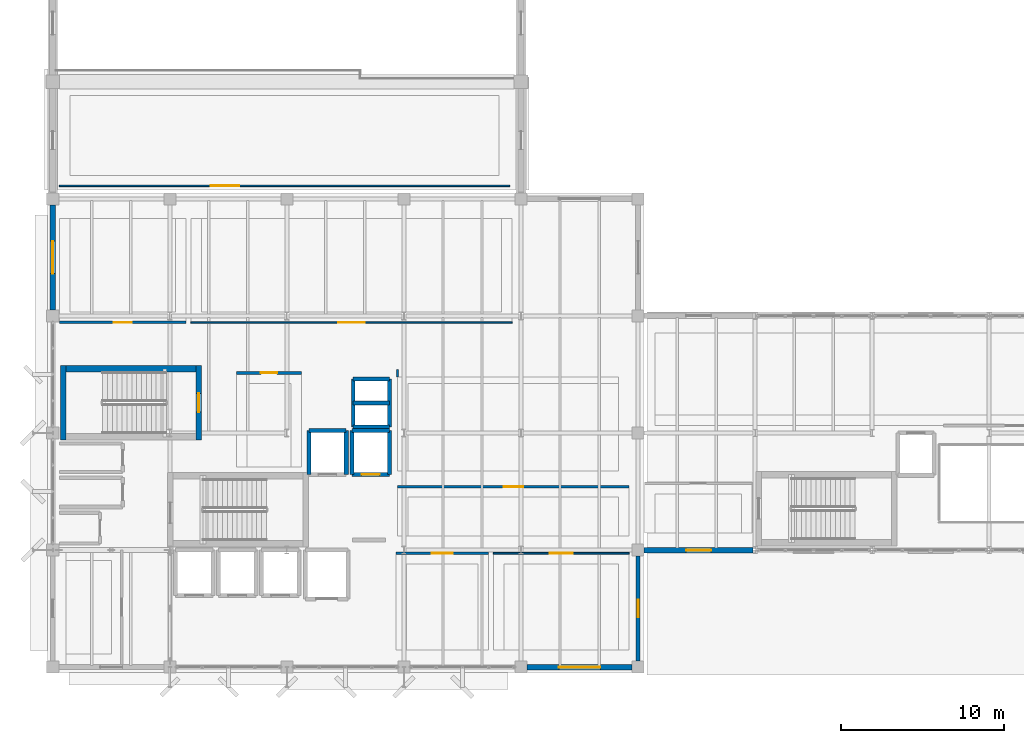
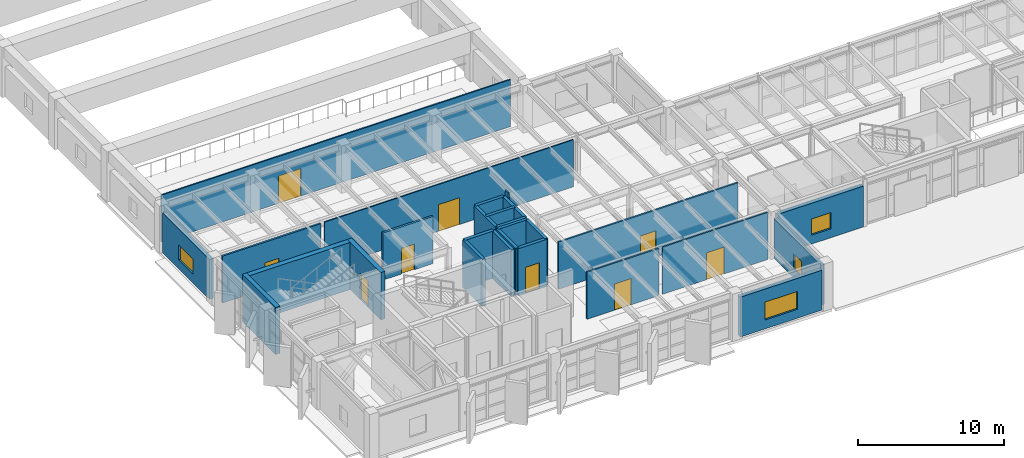
# One storey, part 26 of 37: 27 walls, 9 doors, 4 windows, 13 openings.
"""IFC4 building model written with IfcOpenShell, lengths in metres."""

from ifc_helpers import new_model, si_unit, direction, frame, frame_2d, origin, place, context, subcontext, project, spatial, rectangle, extrude, material, layer, layer_set, type_object, element, fill, save


model = new_model("IFC4")

# Units and contexts
model_context = context("Model", 3, precision=1e-05, world=origin(), true_north=direction((0.0, 1.0)))
body_context = subcontext(model_context, "Body", "Model", "MODEL_VIEW")
ifc_project = project(units=[si_unit("LENGTHUNIT", "METRE"), si_unit("AREAUNIT", "SQUARE_METRE"), si_unit("VOLUMEUNIT", "CUBIC_METRE"), si_unit("PLANEANGLEUNIT", "RADIAN"), si_unit("MASSUNIT", "GRAM", prefix="KILO")], contexts=[model_context])

# Site, building, storey
site_placement = place(None, origin())
site = spatial("IfcSite", under=ifc_project, at=site_placement, CompositionType="ELEMENT")
building_placement = place(site_placement, origin())
building = spatial("IfcBuilding", under=site, at=building_placement, Name="Kandorven Conservatory and Botanical Research Centre", CompositionType="ELEMENT")
storey_placement = place(building_placement, frame((0.0, 0.0, 9.0)))
storey = spatial("IfcBuildingStorey", under=building, at=storey_placement, Name="L02", CompositionType="ELEMENT", Elevation=9.0)

# Wall
ifc_material_1 = material(Name="Concrete C40/50 (M50)", Category="concrete")
ifc_layer_1 = layer(ifc_material_1, 0.39990234375)
ifc_layer_set_1 = layer_set([ifc_layer_1], Name="Concrete C40/50 (M50)")
wall_type_1 = type_object("IfcWallType", Name="Wall_CW-RC-1", PredefinedType="SHEAR", material=ifc_layer_set_1)
wall_1_placement = place(storey_placement, frame((14.800048828125, 24.35498046875, 0.0), z_axis=(0.0, 0.0, 1.0), x_axis=(-1.0, 0.0, 0.0)))
element("IfcWall", 1, at=wall_1_placement, inside=storey, type_object=wall_type_1, Name="Core stair shear wall CW-RC-1 ST-T2 L02 side A", PredefinedType="SHEAR", context=body_context, shape_type="SweptSolid", body=[
    extrude(rectangle(XDim=7.97998046875, YDim=0.39990234375, at=frame_2d((3.989990234375, 0.0))), origin(), (0.0, 0.0, 1.0), 3.9599609375),
])

# Wall, opening, door
ifc_material_2 = material(Name="Concrete C40/50 (M50)", Category="concrete")
ifc_layer_2 = layer(ifc_material_2, 0.35009765625)
ifc_layer_set_2 = layer_set([ifc_layer_2], Name="Concrete C40/50 (M50)")
wall_type_2 = type_object("IfcWallType", Name="Wall_CW-RC-2", PredefinedType="SHEAR", material=ifc_layer_set_2)
wall_2_placement = place(storey_placement, frame((14.97509765625, 24.550048828125, 0.0), z_axis=(0.0, 0.0, 1.0), x_axis=(0.0, -1.0, 0.0)))
wall_2 = element("IfcWall", 2, at=wall_2_placement, inside=storey, type_object=wall_type_2, Name="Core stair shear wall CW-RC-2 ST-T2 L02 entry", PredefinedType="SHEAR", context=body_context, shape_type="SweptSolid", body=[
    extrude(rectangle(XDim=4.590087890625, YDim=0.35009765625, at=frame_2d((2.294921875, 0.0))), origin(), (0.0, 0.0, 1.0), 3.9599609375),
])
opening_1_placement = place(wall_2_placement, frame((1.719970703125, 0.0, 0.0)))
opening_1 = element("IfcOpeningElement", 3, at=opening_1_placement, cuts=wall_2, Name="Opening FD-2", PredefinedType="OPENING", context=body_context, shape_type="SweptSolid", body=[
    extrude(rectangle(XDim=1.14990234375, YDim=2.199951171875, at=frame_2d((0.574951171875, 1.10009765625))), frame((0.0, 0.18505859375, 0.0), z_axis=(0.0, -1.0, 0.0), x_axis=(1.0, 0.0, 0.0)), (0.0, 0.0, 1.0), 0.3701171875),
])
ifc_material_3 = material(Name="Galvanised hollow steel fire door assembly", Category="steel")
door_type_1 = type_object("IfcDoorType", Name="Door_FD-2", OperationType="NOTDEFINED", PredefinedType="DOOR", material=ifc_material_3)
door_1_placement = place(opening_1_placement, origin())
door_1 = element("IfcDoor", 4, at=door_1_placement, inside=storey, type_object=door_type_1, Name="Exit stair fire door FD-2 ST-T2 L02", OperationType="SINGLE_SWING_LEFT", OverallHeight=2.199951171875, OverallWidth=1.14990234375, PredefinedType="DOOR", context=body_context, shape_type="SweptSolid", body=[
    extrude(rectangle(XDim=1.14990234375, YDim=2.199951171875, at=frame_2d((0.574951171875, 1.10009765625))), frame((0.0, 0.02490234375, 0.0), z_axis=(0.0, -1.0, 0.0), x_axis=(1.0, 0.0, 0.0)), (0.0, 0.0, 1.0), 0.050048828125),
])
fill(opening_1, door_1)

# Walls
wall_3_placement = place(storey_placement, frame((6.64501953125, 24.550048828125, 0.0), z_axis=(0.0, 0.0, 1.0), x_axis=(0.0, -1.0, 0.0)))
element("IfcWall", 5, at=wall_3_placement, inside=storey, type_object=wall_type_2, Name="Core stair shear wall CW-RC-2 ST-T2 L02 far", PredefinedType="SHEAR", context=body_context, shape_type="SweptSolid", body=[
    extrude(rectangle(XDim=4.590087890625, YDim=0.35009765625, at=frame_2d((2.294921875, 0.0))), origin(), (0.0, 0.0, 1.0), 3.9599609375),
])
wall_4_placement = place(storey_placement, frame((21.75, 20.550048828125, 0.0), z_axis=(0.0, 0.0, 1.0), x_axis=(1.0, 0.0, 0.0)))
element("IfcWall", 6, at=wall_4_placement, inside=storey, type_object=wall_type_2, Name="Lift shaft wall FFL-1 L02 N", PredefinedType="SHEAR", context=body_context, shape_type="SweptSolid", body=[
    extrude(rectangle(XDim=2.300048828125, YDim=0.25, at=frame_2d((1.14990234375, 0.0))), origin(), (0.0, 0.0, 1.0), 3.9599609375),
])
for number, where, z_axis, x_axis, name in (
    (7, (21.75, 17.85009765625, 0.0), (0.0, 0.0, 1.0), (0.0, 1.0, 0.0), "Lift shaft wall FFL-1 L02 W"),
    (8, (24.050048828125, 17.85009765625, 0.0), (0.0, 0.0, 1.0), (0.0, 1.0, 0.0), "Lift shaft wall FFL-1 L02 E"),
):
    element("IfcWall", number, at=place(storey_placement, frame(where, z_axis=z_axis, x_axis=x_axis)), inside=storey, type_object=wall_type_2, Name=name, PredefinedType="SHEAR", context=body_context, shape_type="SweptSolid", body=[
        extrude(rectangle(XDim=2.699951171875, YDim=0.25, at=frame_2d((1.35009765625, 0.0))), origin(), (0.0, 0.0, 1.0), 3.9599609375),
    ])

# Wall, opening, door
wall_5_placement = place(storey_placement, frame((24.39990234375, 17.85009765625, 0.0), z_axis=(0.0, 0.0, 1.0), x_axis=(1.0, 0.0, 0.0)))
wall_5 = element("IfcWall", 9, at=wall_5_placement, inside=storey, type_object=wall_type_2, Name="Lift shaft wall FFL-2 L02 S", PredefinedType="SHEAR", context=body_context, shape_type="SweptSolid", body=[
    extrude(rectangle(XDim=2.300048828125, YDim=0.25, at=frame_2d((1.14990234375, 0.0))), origin(), (0.0, 0.0, 1.0), 3.9599609375),
])
opening_2_placement = place(wall_5_placement, frame((0.60009765625, 0.0, 0.0)))
opening_2 = element("IfcOpeningElement", 10, at=opening_2_placement, cuts=wall_5, Name="Opening LD-01", PredefinedType="OPENING", context=body_context, shape_type="SweptSolid", body=[
    extrude(rectangle(XDim=1.10009765625, YDim=2.199951171875, at=frame_2d((0.550048828125, 1.10009765625))), frame((0.0, 0.135009765625, 0.0), z_axis=(0.0, -1.0, 0.0), x_axis=(1.0, 0.0, 0.0)), (0.0, 0.0, 1.0), 0.27001953125),
])
ifc_material_4 = material(Name="Anodised aluminium sliding landing door", Category="aluminium")
door_type_2 = type_object("IfcDoorType", Name="Door_LD-01", OperationType="DOUBLE_DOOR_SLIDING", PredefinedType="DOOR", material=ifc_material_4)
door_2_placement = place(opening_2_placement, origin())
door_2 = element("IfcDoor", 11, at=door_2_placement, inside=storey, type_object=door_type_2, Name="Lift landing sliding door LD-01 (FFL-2 L02)", OperationType="DOUBLE_DOOR_SLIDING", OverallHeight=2.199951171875, OverallWidth=1.10009765625, PredefinedType="DOOR", context=body_context, shape_type="SweptSolid", body=[
    extrude(rectangle(XDim=1.10009765625, YDim=2.199951171875, at=frame_2d((0.550048828125, 1.10009765625))), frame((0.0, 0.02490234375, 0.0), z_axis=(0.0, -1.0, 0.0), x_axis=(1.0, 0.0, 0.0)), (0.0, 0.0, 1.0), 0.050048828125),
])
fill(opening_2, door_2)

# Walls
wall_6_placement = place(storey_placement, frame((24.39990234375, 20.550048828125, 0.0), z_axis=(0.0, 0.0, 1.0), x_axis=(1.0, 0.0, 0.0)))
element("IfcWall", 12, at=wall_6_placement, inside=storey, type_object=wall_type_2, Name="Lift shaft wall FFL-2 L02 N", PredefinedType="SHEAR", context=body_context, shape_type="SweptSolid", body=[
    extrude(rectangle(XDim=2.300048828125, YDim=0.25, at=frame_2d((1.14990234375, 0.0))), origin(), (0.0, 0.0, 1.0), 3.9599609375),
])
for number, where, z_axis, x_axis, name in (
    (13, (24.39990234375, 17.85009765625, 0.0), (0.0, 0.0, 1.0), (0.0, 1.0, 0.0), "Lift shaft wall FFL-2 L02 W"),
    (14, (26.699951171875, 17.85009765625, 0.0), (0.0, 0.0, 1.0), (0.0, 1.0, 0.0), "Lift shaft wall FFL-2 L02 E"),
):
    element("IfcWall", number, at=place(storey_placement, frame(where, z_axis=z_axis, x_axis=x_axis)), inside=storey, type_object=wall_type_2, Name=name, PredefinedType="SHEAR", context=body_context, shape_type="SweptSolid", body=[
        extrude(rectangle(XDim=2.699951171875, YDim=0.25, at=frame_2d((1.35009765625, 0.0))), origin(), (0.0, 0.0, 1.0), 3.9599609375),
    ])
for number, where, z_axis, x_axis, name in (
    (15, (24.47998046875, 20.780029296875, 0.0), (0.0, 0.0, 1.0), (1.0, 0.0, 0.0), "Core MEP riser shaft wall CW-RC-2 L02 S"),
    (16, (24.47998046875, 22.25, 0.0), (0.0, 0.0, 1.0), (1.0, 0.0, 0.0), "Core MEP riser shaft wall CW-RC-2 L02 M"),
    (17, (24.47998046875, 23.719970703125, 0.0), (0.0, 0.0, 1.0), (1.0, 0.0, 0.0), "Core MEP riser shaft wall CW-RC-2 L02 N"),
):
    element("IfcWall", number, at=place(storey_placement, frame(where, z_axis=z_axis, x_axis=x_axis)), inside=storey, type_object=wall_type_2, Name=name, PredefinedType="SHEAR", context=body_context, shape_type="SweptSolid", body=[
        extrude(rectangle(XDim=2.239990234375, YDim=0.239990234375, at=frame_2d((1.1201171875, 0.0))), origin(), (0.0, 0.0, 1.0), 3.9599609375),
    ])
for number, where, z_axis, x_axis, name in (
    (18, (24.47998046875, 20.780029296875, 0.0), (0.0, 0.0, 1.0), (0.0, 1.0, 0.0), "Core MEP riser shaft wall CW-RC-2 L02 W"),
    (19, (26.719970703125, 20.780029296875, 0.0), (0.0, 0.0, 1.0), (0.0, 1.0, 0.0), "Core MEP riser shaft wall CW-RC-2 L02 E"),
):
    element("IfcWall", number, at=place(storey_placement, frame(where, z_axis=z_axis, x_axis=x_axis)), inside=storey, type_object=wall_type_2, Name=name, PredefinedType="SHEAR", context=body_context, shape_type="SweptSolid", body=[
        extrude(rectangle(XDim=2.93994140625, YDim=0.239990234375, at=frame_2d((1.469970703125, 0.0))), origin(), (0.0, 0.0, 1.0), 3.9599609375),
    ])

# Wall, opening, window
ifc_material_5 = material(Name="Concrete C32/40 (M40)", Category="concrete")
ifc_layer_3 = layer(ifc_material_5, 0.340087890625)
ifc_layer_set_3 = layer_set([ifc_layer_3], Name="Concrete C32/40 (M40)")
wall_type_3 = type_object("IfcWallType", Name="Wall_EW-02", PredefinedType="STANDARD", material=ifc_layer_set_3)
wall_7_placement = place(storey_placement, frame((42.375, 13.199951171875, 0.0), z_axis=(0.0, 0.0, 1.0), x_axis=(1.0, 0.0, 0.0)))
wall_7 = element("IfcWall", 20, at=wall_7_placement, inside=storey, type_object=wall_type_3, Name="Visitor centre concrete wall EW-02 S L02", PredefinedType="STANDARD", context=body_context, shape_type="SweptSolid", body=[
    extrude(rectangle(XDim=6.699951171875, YDim=0.340087890625, at=frame_2d((3.35009765625, 0.0))), origin(), (0.0, 0.0, 1.0), 3.419921875),
])
opening_3_placement = place(wall_7_placement, frame((2.574951171875, 0.0, 0.75)))
opening_3 = element("IfcOpeningElement", 21, at=opening_3_placement, cuts=wall_7, Name="Opening W-33", PredefinedType="OPENING", context=body_context, shape_type="SweptSolid", body=[
    extrude(rectangle(XDim=1.550048828125, YDim=1.35009765625, at=frame_2d((0.77490234375, 0.675048828125))), frame((0.0, 0.179931640625, 0.0), z_axis=(0.0, -1.0, 0.0), x_axis=(1.0, 0.0, 0.0)), (0.0, 0.0, 1.0), 0.360107421875),
])
ifc_material_6 = material(Name="Double-glazed solar-control low-E glass", Category="glass")
window_type_1 = type_object("IfcWindowType", Name="Win_W-33", PartitioningType="DOUBLE_PANEL_VERTICAL", PredefinedType="WINDOW", material=ifc_material_6)
window_1_placement = place(opening_3_placement, origin())
window_1 = element("IfcWindow", 22, at=window_1_placement, inside=storey, type_object=window_type_1, Name="Visitor wing deep-reveal window W-33", OverallHeight=1.35009765625, OverallWidth=1.550048828125, PartitioningType="SINGLE_PANEL", PredefinedType="WINDOW", context=body_context, shape_type="SweptSolid", body=[
    extrude(rectangle(XDim=1.550048828125, YDim=1.35009765625, at=frame_2d((0.77490234375, 0.675048828125))), frame((0.0, 0.030029296875, 0.0), z_axis=(0.0, -1.0, 0.0), x_axis=(1.0, 0.0, 0.0)), (0.0, 0.0, 1.0), 0.06005859375),
])
fill(opening_3, window_1)

wall_8_placement = place(storey_placement, frame((35.175048828125, 6.0, 0.0), z_axis=(0.0, 0.0, 1.0), x_axis=(1.0, 0.0, 0.0)))
wall_8 = element("IfcWall", 23, at=wall_8_placement, inside=storey, type_object=wall_type_3, Name="Tower concrete facade wall EW-02 S L02", PredefinedType="STANDARD", context=body_context, shape_type="SweptSolid", body=[
    extrude(rectangle(XDim=6.449951171875, YDim=0.340087890625, at=frame_2d((3.22509765625, 0.0))), origin(), (0.0, 0.0, 1.0), 3.340087890625),
])
opening_4_placement = place(wall_8_placement, frame((1.949951171875, 0.0, 0.75)))
opening_4 = element("IfcOpeningElement", 24, at=opening_4_placement, cuts=wall_8, Name="Opening W-44", PredefinedType="OPENING", context=body_context, shape_type="SweptSolid", body=[
    extrude(rectangle(XDim=2.550048828125, YDim=1.5, at=frame_2d((1.27490234375, 0.75))), frame((0.0, 0.179931640625, 0.0), z_axis=(0.0, -1.0, 0.0), x_axis=(1.0, 0.0, 0.0)), (0.0, 0.0, 1.0), 0.360107421875),
])
ifc_material_7 = material(Name="Double-glazed solar-control low-E glass", Category="glass")
window_type_2 = type_object("IfcWindowType", Name="Win_W-44", PartitioningType="DOUBLE_PANEL_VERTICAL", PredefinedType="WINDOW", material=ifc_material_7)
window_2_placement = place(opening_4_placement, origin())
window_2 = element("IfcWindow", 25, at=window_2_placement, inside=storey, type_object=window_type_2, Name="Tower recessed solar window W-44", OverallHeight=1.5, OverallWidth=2.550048828125, PartitioningType="SINGLE_PANEL", PredefinedType="WINDOW", context=body_context, shape_type="SweptSolid", body=[
    extrude(rectangle(XDim=2.550048828125, YDim=1.5, at=frame_2d((1.27490234375, 0.75))), frame((0.0, 0.030029296875, 0.0), z_axis=(0.0, -1.0, 0.0), x_axis=(1.0, 0.0, 0.0)), (0.0, 0.0, 1.0), 0.06005859375),
])
fill(opening_4, window_2)

ifc_material_8 = material(Name="Concrete C32/40 (M40)", Category="concrete")
ifc_layer_4 = layer(ifc_material_8, 0.320068359375)
ifc_layer_set_4 = layer_set([ifc_layer_4], Name="Concrete C32/40 (M40)")
wall_type_4 = type_object("IfcWallType", Name="Wall_EW-03", PredefinedType="STANDARD", material=ifc_layer_set_4)
wall_9_placement = place(storey_placement, frame((6.0, 27.97509765625, 0.0), z_axis=(0.0, 0.0, 1.0), x_axis=(0.0, 1.0, 0.0)))
wall_9 = element("IfcWall", 26, at=wall_9_placement, inside=storey, type_object=wall_type_4, Name="Tower concrete facade wall EW-03 W L02", PredefinedType="STANDARD", context=body_context, shape_type="SweptSolid", body=[
    extrude(rectangle(XDim=6.449951171875, YDim=0.320068359375, at=frame_2d((3.22509765625, 0.0))), origin(), (0.0, 0.0, 1.0), 3.340087890625),
])
opening_5_placement = place(wall_9_placement, frame((2.22509765625, 0.0, 0.75)))
opening_5 = element("IfcOpeningElement", 27, at=opening_5_placement, cuts=wall_9, Name="Opening W-48", PredefinedType="OPENING", context=body_context, shape_type="SweptSolid", body=[
    extrude(rectangle(XDim=2.0, YDim=1.25, at=frame_2d((1.0, 0.625))), frame((0.0, 0.169921875, 0.0), z_axis=(0.0, -1.0, 0.0), x_axis=(1.0, 0.0, 0.0)), (0.0, 0.0, 1.0), 0.340087890625),
])
ifc_material_9 = material(Name="Double-glazed solar-control low-E glass", Category="glass")
window_type_3 = type_object("IfcWindowType", Name="Win_W-48", PartitioningType="DOUBLE_PANEL_VERTICAL", PredefinedType="WINDOW", material=ifc_material_9)
window_3_placement = place(opening_5_placement, origin())
window_3 = element("IfcWindow", 28, at=window_3_placement, inside=storey, type_object=window_type_3, Name="Tower recessed solar window W-48", OverallHeight=1.25, OverallWidth=2.0, PartitioningType="SINGLE_PANEL", PredefinedType="WINDOW", context=body_context, shape_type="SweptSolid", body=[
    extrude(rectangle(XDim=2.0, YDim=1.25, at=frame_2d((1.0, 0.625))), frame((0.0, 0.030029296875, 0.0), z_axis=(0.0, -1.0, 0.0), x_axis=(1.0, 0.0, 0.0)), (0.0, 0.0, 1.0), 0.06005859375),
])
fill(opening_5, window_3)

ifc_material_10 = material(Name="Concrete C32/40 (M40)", Category="concrete")
ifc_layer_5 = layer(ifc_material_10, 0.260009765625)
ifc_layer_set_5 = layer_set([ifc_layer_5], Name="Concrete C32/40 (M40)")
wall_type_5 = type_object("IfcWallType", Name="Wall_EW-06", PredefinedType="STANDARD", material=ifc_layer_set_5)
wall_10_placement = place(storey_placement, frame((42.0, 6.375, 0.0), z_axis=(0.0, 0.0, 1.0), x_axis=(0.0, 1.0, 0.0)))
wall_10 = element("IfcWall", 29, at=wall_10_placement, inside=storey, type_object=wall_type_5, Name="Tower concrete facade wall EW-06 E L02", PredefinedType="STANDARD", context=body_context, shape_type="SweptSolid", body=[
    extrude(rectangle(XDim=6.449951171875, YDim=0.260009765625, at=frame_2d((3.22509765625, 0.0))), origin(), (0.0, 0.0, 1.0), 3.340087890625),
])
opening_6_placement = place(wall_10_placement, frame((2.675048828125, 0.0, 0.75)))
opening_6 = element("IfcOpeningElement", 30, at=opening_6_placement, cuts=wall_10, Name="Opening W-45", PredefinedType="OPENING", context=body_context, shape_type="SweptSolid", body=[
    extrude(rectangle(XDim=1.10009765625, YDim=1.25, at=frame_2d((0.550048828125, 0.625))), frame((0.0, 0.139892578125, 0.0), z_axis=(0.0, -1.0, 0.0), x_axis=(1.0, 0.0, 0.0)), (0.0, 0.0, 1.0), 0.280029296875),
])
ifc_material_11 = material(Name="Double-glazed solar-control low-E glass", Category="glass")
window_type_4 = type_object("IfcWindowType", Name="Win_W-45", PartitioningType="DOUBLE_PANEL_VERTICAL", PredefinedType="WINDOW", material=ifc_material_11)
window_4_placement = place(opening_6_placement, origin())
window_4 = element("IfcWindow", 31, at=window_4_placement, inside=storey, type_object=window_type_4, Name="Tower recessed solar window W-45", OverallHeight=1.25, OverallWidth=1.10009765625, PartitioningType="SINGLE_PANEL", PredefinedType="WINDOW", context=body_context, shape_type="SweptSolid", body=[
    extrude(rectangle(XDim=1.10009765625, YDim=1.25, at=frame_2d((0.550048828125, 0.625))), frame((0.0, 0.030029296875, 0.0), z_axis=(0.0, -1.0, 0.0), x_axis=(1.0, 0.0, 0.0)), (0.0, 0.0, 1.0), 0.06005859375),
])
fill(opening_6, window_4)

# Wall, opening, door
ifc_material_12 = material(Name="Autoclaved aerated concrete blockwork masonry", Category="masonry")
ifc_layer_6 = layer(ifc_material_12, 0.179931640625)
ifc_layer_set_6 = layer_set([ifc_layer_6], Name="Autoclaved aerated concrete blockwork masonry")
wall_type_6 = type_object("IfcWallType", Name="Wall_IW-03", PredefinedType="PARTITIONING", material=ifc_layer_set_6)
wall_11_placement = place(storey_placement, frame((17.300048828125, 24.10009765625, 0.0), z_axis=(0.0, 0.0, 1.0), x_axis=(1.0, 0.0, 0.0)))
wall_11 = element("IfcWall", 32, at=wall_11_placement, inside=storey, type_object=wall_type_6, Name="Interior partition wall IW-03 (Botanical Specimen Preparation Laboratory L02)", PredefinedType="PARTITIONING", context=body_context, shape_type="SweptSolid", body=[
    extrude(rectangle(XDim=4.0, YDim=0.179931640625, at=frame_2d((2.0, 0.0))), origin(), (0.0, 0.0, 1.0), 3.93994140625),
])
opening_7_placement = place(wall_11_placement, frame((1.5, 0.0, 0.0)))
opening_7 = element("IfcOpeningElement", 33, at=opening_7_placement, cuts=wall_11, Name="Opening D-02", PredefinedType="OPENING", context=body_context, shape_type="SweptSolid", body=[
    extrude(rectangle(XDim=1.0, YDim=2.14990234375, at=frame_2d((0.5, 1.074951171875))), frame((0.0, 0.099853515625, 0.0), z_axis=(0.0, -1.0, 0.0), x_axis=(1.0, 0.0, 0.0)), (0.0, 0.0, 1.0), 0.199951171875),
])
ifc_material_13 = material(Name="Solid core acoustic teak-veneered timber leaf", Category="wood")
door_type_3 = type_object("IfcDoorType", Name="Door_D-02", OperationType="NOTDEFINED", PredefinedType="DOOR", material=ifc_material_13)
door_3_placement = place(opening_7_placement, frame((1.0, 0.0, 0.0), z_axis=(0.0, 0.0, 1.0), x_axis=(-1.0, 0.0, 0.0)))
door_3 = element("IfcDoor", 34, at=door_3_placement, inside=storey, type_object=door_type_3, Name="Interior door D-02 to Botanical Specimen Preparation Laboratory L02", OperationType="SINGLE_SWING_RIGHT", OverallHeight=2.14990234375, OverallWidth=1.0, PredefinedType="DOOR", context=body_context, shape_type="SweptSolid", body=[
    extrude(rectangle(XDim=1.0, YDim=2.14990234375, at=frame_2d((0.5, 1.074951171875))), frame((0.0, 0.02490234375, 0.0), z_axis=(0.0, -1.0, 0.0), x_axis=(1.0, 0.0, 0.0)), (0.0, 0.0, 1.0), 0.050048828125),
])
fill(opening_7, door_3)

ifc_material_14 = material(Name="Fire-rated acoustic gypsum board partition", Category="gypsum")
ifc_layer_7 = layer(ifc_material_14, 0.14990234375)
ifc_layer_set_7 = layer_set([ifc_layer_7], Name="Fire-rated acoustic gypsum board partition")
wall_type_7 = type_object("IfcWallType", Name="Wall_IW-05", PredefinedType="PARTITIONING", material=ifc_layer_set_7)
wall_12_placement = place(storey_placement, frame((6.39990234375, 27.199951171875, 0.0), z_axis=(0.0, 0.0, 1.0), x_axis=(1.0, 0.0, 0.0)))
wall_12 = element("IfcWall", 35, at=wall_12_placement, inside=storey, type_object=wall_type_7, Name="Interior partition wall IW-05 (Ethnobotany Field Specimen Studio L02)", PredefinedType="PARTITIONING", context=body_context, shape_type="SweptSolid", body=[
    extrude(rectangle(XDim=7.800048828125, YDim=0.14990234375, at=frame_2d((3.89990234375, 0.0))), origin(), (0.0, 0.0, 1.0), 3.93994140625),
])
opening_8_placement = place(wall_12_placement, frame((3.35009765625, 0.0, 0.0)))
opening_8 = element("IfcOpeningElement", 36, at=opening_8_placement, cuts=wall_12, Name="Opening D-04", PredefinedType="OPENING", context=body_context, shape_type="SweptSolid", body=[
    extrude(rectangle(XDim=1.10009765625, YDim=2.199951171875, at=frame_2d((0.550048828125, 1.10009765625))), frame((0.0, 0.0849609375, 0.0), z_axis=(0.0, -1.0, 0.0), x_axis=(1.0, 0.0, 0.0)), (0.0, 0.0, 1.0), 0.169921875),
])
ifc_material_15 = material(Name="Solid core acoustic teak-veneered timber leaf", Category="wood")
door_type_4 = type_object("IfcDoorType", Name="Door_D-04", OperationType="NOTDEFINED", PredefinedType="DOOR", material=ifc_material_15)
door_4_placement = place(opening_8_placement, origin())
door_4 = element("IfcDoor", 37, at=door_4_placement, inside=storey, type_object=door_type_4, Name="Interior door D-04 to Ethnobotany Field Specimen Studio L02", OperationType="SINGLE_SWING_RIGHT", OverallHeight=2.199951171875, OverallWidth=1.10009765625, PredefinedType="DOOR", context=body_context, shape_type="SweptSolid", body=[
    extrude(rectangle(XDim=1.10009765625, YDim=2.199951171875, at=frame_2d((0.550048828125, 1.10009765625))), frame((0.0, 0.02490234375, 0.0), z_axis=(0.0, -1.0, 0.0), x_axis=(1.0, 0.0, 0.0)), (0.0, 0.0, 1.0), 0.050048828125),
])
fill(opening_8, door_4)

ifc_material_16 = material(Name="Fire-rated acoustic gypsum board partition", Category="gypsum")
ifc_layer_8 = layer(ifc_material_16, 0.139892578125)
ifc_layer_set_8 = layer_set([ifc_layer_8], Name="Fire-rated acoustic gypsum board partition")
wall_type_8 = type_object("IfcWallType", Name="Wall_IW-06", PredefinedType="PARTITIONING", material=ifc_layer_set_8)
wall_13_placement = place(storey_placement, frame((27.199951171875, 17.10009765625, 0.0), z_axis=(0.0, 0.0, 1.0), x_axis=(1.0, 0.0, 0.0)))
wall_13 = element("IfcWall", 38, at=wall_13_placement, inside=storey, type_object=wall_type_8, Name="Interior partition wall IW-06 (Plant Pathology Research Laboratory L02)", PredefinedType="PARTITIONING", context=body_context, shape_type="SweptSolid", body=[
    extrude(rectangle(XDim=14.25, YDim=0.139892578125, at=frame_2d((7.125, 0.0))), origin(), (0.0, 0.0, 1.0), 3.93994140625),
])
opening_9_placement = place(wall_13_placement, frame((6.52490234375, 0.0, 0.0)))
opening_9 = element("IfcOpeningElement", 39, at=opening_9_placement, cuts=wall_13, Name="Opening D-05", PredefinedType="OPENING", context=body_context, shape_type="SweptSolid", body=[
    extrude(rectangle(XDim=1.199951171875, YDim=2.199951171875, at=frame_2d((0.60009765625, 1.10009765625))), frame((0.0, 0.079833984375, 0.0), z_axis=(0.0, -1.0, 0.0), x_axis=(1.0, 0.0, 0.0)), (0.0, 0.0, 1.0), 0.159912109375),
])
ifc_material_17 = material(Name="Solid core acoustic teak-veneered timber leaf", Category="wood")
door_type_5 = type_object("IfcDoorType", Name="Door_D-05", OperationType="NOTDEFINED", PredefinedType="DOOR", material=ifc_material_17)
door_5_placement = place(opening_9_placement, frame((1.199951171875, 0.0, 0.0), z_axis=(0.0, 0.0, 1.0), x_axis=(-1.0, 0.0, 0.0)))
door_5 = element("IfcDoor", 40, at=door_5_placement, inside=storey, type_object=door_type_5, Name="Interior door D-05 to Plant Pathology Research Laboratory L02", OperationType="SINGLE_SWING_LEFT", OverallHeight=2.199951171875, OverallWidth=1.199951171875, PredefinedType="DOOR", context=body_context, shape_type="SweptSolid", body=[
    extrude(rectangle(XDim=1.199951171875, YDim=2.199951171875, at=frame_2d((0.60009765625, 1.10009765625))), frame((0.0, 0.02490234375, 0.0), z_axis=(0.0, -1.0, 0.0), x_axis=(1.0, 0.0, 0.0)), (0.0, 0.0, 1.0), 0.050048828125),
])
fill(opening_9, door_5)

ifc_material_18 = material(Name="Fire-rated acoustic gypsum board partition", Category="gypsum")
ifc_layer_9 = layer(ifc_material_18, 0.1298828125)
ifc_layer_set_9 = layer_set([ifc_layer_9], Name="Fire-rated acoustic gypsum board partition")
wall_type_9 = type_object("IfcWallType", Name="Wall_IW-07", PredefinedType="PARTITIONING", material=ifc_layer_set_9)
wall_14_placement = place(storey_placement, frame((27.10009765625, 13.0, 0.0), z_axis=(0.0, 0.0, 1.0), x_axis=(1.0, 0.0, 0.0)))
wall_14 = element("IfcWall", 41, at=wall_14_placement, inside=storey, type_object=wall_type_9, Name="Interior partition wall IW-07 (Plant Physiology Research Laboratory L02)", PredefinedType="PARTITIONING", context=body_context, shape_type="SweptSolid", body=[
    extrude(rectangle(XDim=5.699951171875, YDim=0.1298828125, at=frame_2d((2.85009765625, 0.0))), origin(), (0.0, 0.0, 1.0), 3.93994140625),
])
opening_10_placement = place(wall_14_placement, frame((2.199951171875, 0.0, 0.0)))
opening_10 = element("IfcOpeningElement", 42, at=opening_10_placement, cuts=wall_14, Name="Opening D-06", PredefinedType="OPENING", context=body_context, shape_type="SweptSolid", body=[
    extrude(rectangle(XDim=1.300048828125, YDim=2.199951171875, at=frame_2d((0.64990234375, 1.10009765625))), frame((0.0, 0.074951171875, 0.0), z_axis=(0.0, -1.0, 0.0), x_axis=(1.0, 0.0, 0.0)), (0.0, 0.0, 1.0), 0.14990234375),
])
ifc_material_19 = material(Name="Solid core acoustic teak-veneered timber leaf", Category="wood")
door_type_6 = type_object("IfcDoorType", Name="Door_D-06", OperationType="NOTDEFINED", PredefinedType="DOOR", material=ifc_material_19)
door_6_placement = place(opening_10_placement, origin())
door_6 = element("IfcDoor", 43, at=door_6_placement, inside=storey, type_object=door_type_6, Name="Interior door D-06 to Plant Physiology Research Laboratory L02", OperationType="SINGLE_SWING_RIGHT", OverallHeight=2.199951171875, OverallWidth=1.300048828125, PredefinedType="DOOR", context=body_context, shape_type="SweptSolid", body=[
    extrude(rectangle(XDim=1.300048828125, YDim=2.199951171875, at=frame_2d((0.64990234375, 1.10009765625))), frame((0.0, 0.02490234375, 0.0), z_axis=(0.0, -1.0, 0.0), x_axis=(1.0, 0.0, 0.0)), (0.0, 0.0, 1.0), 0.050048828125),
])
fill(opening_10, door_6)

ifc_material_20 = material(Name="Fire-rated acoustic gypsum board partition", Category="gypsum")
ifc_layer_10 = layer(ifc_material_20, 0.1201171875)
ifc_layer_set_10 = layer_set([ifc_layer_10], Name="Fire-rated acoustic gypsum board partition")
wall_type_10 = type_object("IfcWallType", Name="Wall_IW-08", PredefinedType="PARTITIONING", material=ifc_layer_set_10)
wall_15_placement = place(storey_placement, frame((33.10009765625, 13.0, 0.0), z_axis=(0.0, 0.0, 1.0), x_axis=(1.0, 0.0, 0.0)))
wall_15 = element("IfcWall", 44, at=wall_15_placement, inside=storey, type_object=wall_type_10, Name="Interior partition wall IW-08 (Cytology and Anatomy Research Laboratory L02)", PredefinedType="PARTITIONING", context=body_context, shape_type="SweptSolid", body=[
    extrude(rectangle(XDim=8.349853515625, YDim=0.1201171875, at=frame_2d((4.1748046875, 0.0))), origin(), (0.0, 0.0, 1.0), 3.93994140625),
])
opening_11_placement = place(wall_15_placement, frame((3.47509765625, 0.0, 0.0)))
opening_11 = element("IfcOpeningElement", 45, at=opening_11_placement, cuts=wall_15, Name="Opening D-07", PredefinedType="OPENING", context=body_context, shape_type="SweptSolid", body=[
    extrude(rectangle(XDim=1.39990234375, YDim=2.25, at=frame_2d((0.699951171875, 1.125))), frame((0.0, 0.070068359375, 0.0), z_axis=(0.0, -1.0, 0.0), x_axis=(1.0, 0.0, 0.0)), (0.0, 0.0, 1.0), 0.14013671875),
])
ifc_material_21 = material(Name="Solid core acoustic teak-veneered timber leaf", Category="wood")
door_type_7 = type_object("IfcDoorType", Name="Door_D-07", OperationType="NOTDEFINED", PredefinedType="DOOR", material=ifc_material_21)
door_7_placement = place(opening_11_placement, origin())
door_7 = element("IfcDoor", 46, at=door_7_placement, inside=storey, type_object=door_type_7, Name="Interior door D-07 to Cytology and Anatomy Research Laboratory L02", OperationType="SINGLE_SWING_LEFT", OverallHeight=2.25, OverallWidth=1.39990234375, PredefinedType="DOOR", context=body_context, shape_type="SweptSolid", body=[
    extrude(rectangle(XDim=1.39990234375, YDim=2.25, at=frame_2d((0.699951171875, 1.125))), frame((0.0, 0.02490234375, 0.0), z_axis=(0.0, -1.0, 0.0), x_axis=(1.0, 0.0, 0.0)), (0.0, 0.0, 1.0), 0.050048828125),
])
fill(opening_11, door_7)

# Wall
ifc_material_22 = material(Name="Fire-rated acoustic gypsum board partition", Category="gypsum")
ifc_layer_11 = layer(ifc_material_22, 0.110107421875)
ifc_layer_set_11 = layer_set([ifc_layer_11], Name="Fire-rated acoustic gypsum board partition")
wall_type_11 = type_object("IfcWallType", Name="Wall_IW-09", PredefinedType="PARTITIONING", material=ifc_layer_set_11)
wall_16_placement = place(storey_placement, frame((27.199951171875, 24.300048828125, 0.0), z_axis=(0.0, 0.0, 1.0), x_axis=(0.0, -1.0, 0.0)))
element("IfcWall", 47, at=wall_16_placement, inside=storey, type_object=wall_type_11, Name="Interior partition wall IW-09 (Tissue Culture Clean Research Laboratory L02)", PredefinedType="PARTITIONING", context=body_context, shape_type="SweptSolid", body=[
    extrude(rectangle(XDim=0.449951171875, YDim=0.110107421875, at=frame_2d((0.22509765625, 0.0))), origin(), (0.0, 0.0, 1.0), 3.93994140625),
])

# Wall, opening, door
ifc_material_23 = material(Name="Fire-rated acoustic gypsum board partition", Category="gypsum")
ifc_layer_12 = layer(ifc_material_23, 0.10009765625)
ifc_layer_set_12 = layer_set([ifc_layer_12], Name="Fire-rated acoustic gypsum board partition")
wall_type_12 = type_object("IfcWallType", Name="Wall_IW-10", PredefinedType="PARTITIONING", material=ifc_layer_set_12)
wall_17_placement = place(storey_placement, frame((14.5, 27.199951171875, 0.0), z_axis=(0.0, 0.0, 1.0), x_axis=(1.0, 0.0, 0.0)))
wall_17 = element("IfcWall", 48, at=wall_17_placement, inside=storey, type_object=wall_type_12, Name="Interior partition wall IW-10 (Botanical Research Seminar Room L02)", PredefinedType="PARTITIONING", context=body_context, shape_type="SweptSolid", body=[
    extrude(rectangle(XDim=19.75, YDim=0.10009765625, at=frame_2d((9.875, 0.0))), origin(), (0.0, 0.0, 1.0), 3.93994140625),
])
opening_12_placement = place(wall_17_placement, frame((9.050048828125, 0.0, 0.0)))
opening_12 = element("IfcOpeningElement", 49, at=opening_12_placement, cuts=wall_17, Name="Opening D-09", PredefinedType="OPENING", context=body_context, shape_type="SweptSolid", body=[
    extrude(rectangle(XDim=1.64990234375, YDim=2.25, at=frame_2d((0.824951171875, 1.125))), frame((0.0, 0.06005859375, 0.0), z_axis=(0.0, -1.0, 0.0), x_axis=(1.0, 0.0, 0.0)), (0.0, 0.0, 1.0), 0.1201171875),
])
ifc_material_24 = material(Name="Solid core acoustic teak-veneered timber leaf", Category="wood")
door_type_8 = type_object("IfcDoorType", Name="Door_D-09", OperationType="NOTDEFINED", PredefinedType="DOOR", material=ifc_material_24)
door_8_placement = place(opening_12_placement, origin())
door_8 = element("IfcDoor", 50, at=door_8_placement, inside=storey, type_object=door_type_8, Name="Interior door D-09 to Botanical Research Seminar Room L02", OperationType="DOUBLE_DOOR_SINGLE_SWING", OverallHeight=2.25, OverallWidth=1.64990234375, PredefinedType="DOOR", context=body_context, shape_type="SweptSolid", body=[
    extrude(rectangle(XDim=1.64990234375, YDim=2.25, at=frame_2d((0.824951171875, 1.125))), frame((0.0, 0.02490234375, 0.0), z_axis=(0.0, -1.0, 0.0), x_axis=(1.0, 0.0, 0.0)), (0.0, 0.0, 1.0), 0.050048828125),
])
fill(opening_12, door_8)

ifc_material_25 = material(Name="Fire-rated acoustic gypsum board partition", Category="gypsum")
ifc_layer_13 = layer(ifc_material_25, 0.10595703125)
ifc_layer_set_13 = layer_set([ifc_layer_13], Name="Fire-rated acoustic gypsum board partition")
wall_type_13 = type_object("IfcWallType", Name="Wall_IW-11", PredefinedType="PARTITIONING", material=ifc_layer_set_13)
wall_18_placement = place(storey_placement, frame((6.39990234375, 35.60009765625, 0.0), z_axis=(0.0, 0.0, 1.0), x_axis=(1.0, 0.0, 0.0)))
wall_18 = element("IfcWall", 51, at=wall_18_placement, inside=storey, type_object=wall_type_13, Name="Interior partition wall IW-11 (Auditorium Broadcast and Botanical Film Archive)", PredefinedType="PARTITIONING", context=body_context, shape_type="SweptSolid", body=[
    extrude(rectangle(XDim=27.7001953125, YDim=0.10595703125, at=frame_2d((13.85009765625, 0.0))), origin(), (0.0, 0.0, 1.0), 3.93994140625),
])
opening_13_placement = place(wall_18_placement, frame((9.3076171875, 0.0, 0.0)))
opening_13 = element("IfcOpeningElement", 52, at=opening_13_placement, cuts=wall_18, Name="Opening D-10", PredefinedType="OPENING", context=body_context, shape_type="SweptSolid", body=[
    extrude(rectangle(XDim=1.75, YDim=2.300048828125, at=frame_2d((0.875, 1.14990234375))), frame((0.0, 0.06298828125, 0.0), z_axis=(0.0, -1.0, 0.0), x_axis=(1.0, 0.0, 0.0)), (0.0, 0.0, 1.0), 0.1259765625),
])
ifc_material_26 = material(Name="Solid core acoustic teak-veneered timber leaf", Category="wood")
door_type_9 = type_object("IfcDoorType", Name="Door_D-10", OperationType="NOTDEFINED", PredefinedType="DOOR", material=ifc_material_26)
door_9_placement = place(opening_13_placement, origin())
door_9 = element("IfcDoor", 53, at=door_9_placement, inside=storey, type_object=door_type_9, Name="Interior door D-10 to Auditorium Broadcast and Botanical Film Archive", OperationType="DOUBLE_DOOR_SINGLE_SWING", OverallHeight=2.300048828125, OverallWidth=1.75, PredefinedType="DOOR", context=body_context, shape_type="SweptSolid", body=[
    extrude(rectangle(XDim=1.75, YDim=2.300048828125, at=frame_2d((0.875, 1.14990234375))), frame((0.0, 0.02490234375, 0.0), z_axis=(0.0, -1.0, 0.0), x_axis=(1.0, 0.0, 0.0)), (0.0, 0.0, 1.0), 0.050048828125),
])
fill(opening_13, door_9)

save(model, "model.ifc")
